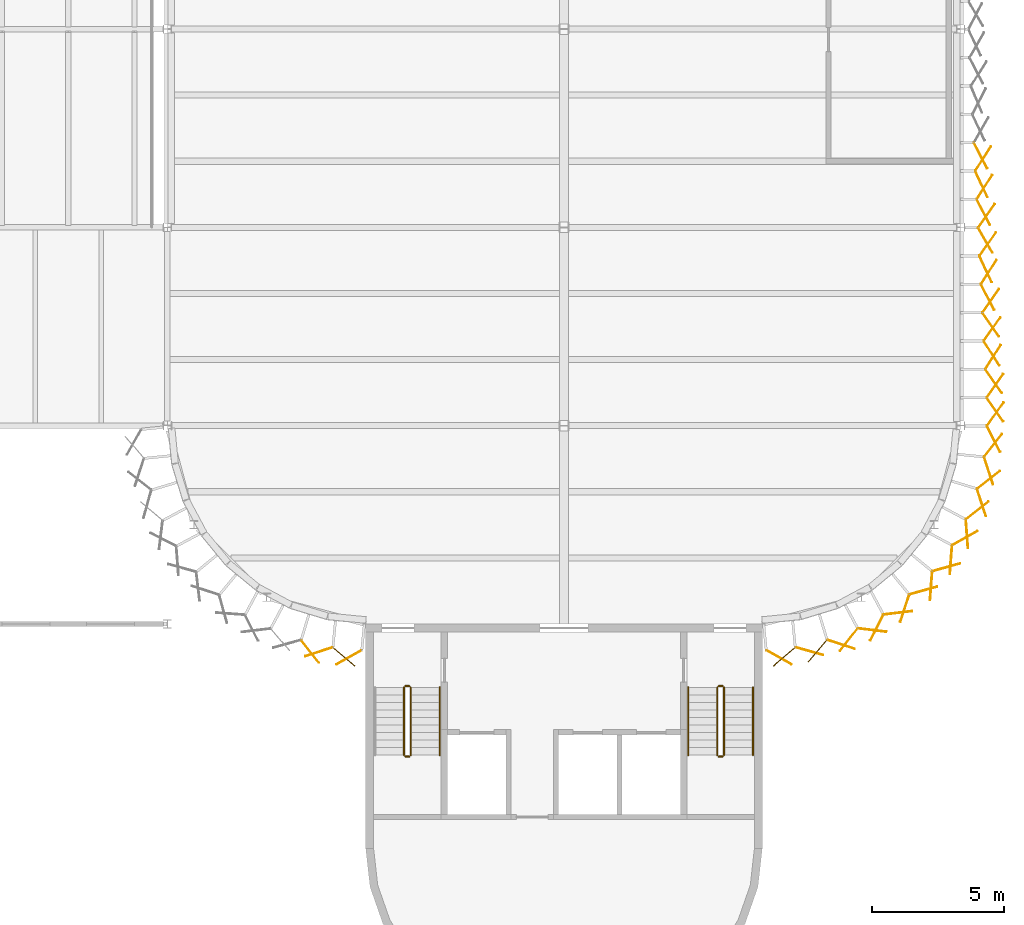
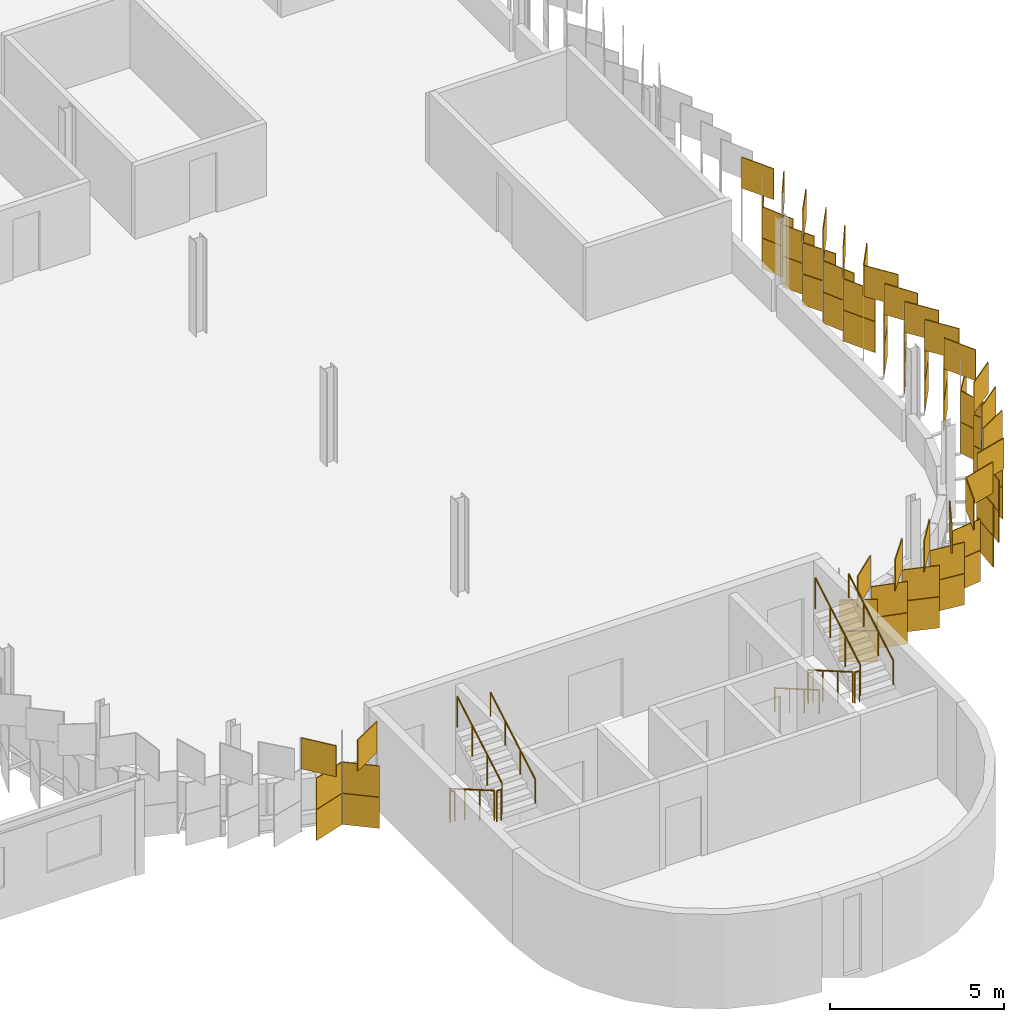
# One storey, part 188 of 198: 69 coverings, 11 railings.
"""IFC4 building model written with IfcOpenShell, lengths in metres."""

from ifc_helpers import new_model, si_unit, direction, frame, origin, origin_2d, place, context, subcontext, project, spatial, rectangle, circle, extrude, material, layer, layer_set, type_object, element, save


model = new_model("IFC4")

# Units and contexts
model_context = context("Model", 3, precision=1e-05, world=origin(), true_north=direction((0.0, 1.0)))
body_context = subcontext(model_context, "Body", "Model", "MODEL_VIEW")
ifc_project = project(units=[si_unit("LENGTHUNIT", "METRE"), si_unit("AREAUNIT", "SQUARE_METRE"), si_unit("VOLUMEUNIT", "CUBIC_METRE"), si_unit("PLANEANGLEUNIT", "RADIAN"), si_unit("MASSUNIT", "GRAM", prefix="KILO")], contexts=[model_context])

# Site, building, storey
site_placement = place(None, origin())
site = spatial("IfcSite", under=ifc_project, at=site_placement, CompositionType="ELEMENT")
building_placement = place(site_placement, origin())
building = spatial("IfcBuilding", under=site, at=building_placement, Name="Parallax Yard Mobility Hub", CompositionType="ELEMENT")
storey_placement = place(building_placement, frame((0.0, 0.0, 6.60009765625)))
storey = spatial("IfcBuildingStorey", under=building, at=storey_placement, Name="L02", CompositionType="ELEMENT", Elevation=6.60009765625)

# Coverings
ifc_material_1 = material(Name="Aluminium panel, champagne finish", Category="aluminium")
ifc_layer_1 = layer(ifc_material_1, 0.030029296875)
ifc_layer_set_1 = layer_set([ifc_layer_1], Name="Skin panel 25 degree turn, champagne finish")
covering_type_1 = type_object("IfcCoveringType", Name="Skin panel 25 degree turn, champagne finish", PredefinedType="CLADDING", material=ifc_layer_set_1)
for number, where, z_axis, x_axis, name in (
    (1, (225.951171875, 35.91162109375, 1.119873046875), (0.0, 0.0, 1.0), (0.422618261741, -0.906307787037, 0.0), "Skin panel 25 bay 33.6 row 2 level L02"),
    (2, (225.79052734375, 39.126953125, 1.119873046875), (0.0, 0.0, 1.0), (0.422618261741, -0.906307787037, 0.0), "Skin panel 25 bay 34.2 row 2 level L02"),
):
    element("IfcCovering", number, at=place(storey_placement, frame(where, z_axis=z_axis, x_axis=x_axis)), inside=storey, type_object=covering_type_1, Name=name, ObjectType="SCREEN", PredefinedType="CLADDING", context=body_context, shape_type="SweptSolid", body=[
        extrude(rectangle(XDim=1.080078125, YDim=0.030029296875, at=origin_2d()), origin(), (0.0, 0.0, 1.0), 1.080078125),
    ])
ifc_material_2 = material(Name="Aluminium panel, light oak finish", Category="aluminium")
ifc_layer_2 = layer(ifc_material_2, 0.030029296875)
ifc_layer_set_2 = layer_set([ifc_layer_2], Name="Skin panel 25 degree turn, oak finish")
covering_type_2 = type_object("IfcCoveringType", Name="Skin panel 25 degree turn, oak finish", PredefinedType="CLADDING", material=ifc_layer_set_2)
for number, where, z_axis, x_axis, name in (
    (3, (225.951171875, 35.91162109375, 0.019775390625), (0.0, 0.0, 1.0), (0.422618261741, -0.906307787037, 0.0), "Skin panel 25 bay 33.6 row 1 level L02"),
    (4, (225.79052734375, 39.126953125, 0.019775390625), (0.0, 0.0, 1.0), (0.422618261741, -0.906307787037, 0.0), "Skin panel 25 bay 34.2 row 1 level L02"),
):
    element("IfcCovering", number, at=place(storey_placement, frame(where, z_axis=z_axis, x_axis=x_axis)), inside=storey, type_object=covering_type_2, Name=name, ObjectType="SCREEN", PredefinedType="CLADDING", context=body_context, shape_type="SweptSolid", body=[
        extrude(rectangle(XDim=1.080078125, YDim=0.030029296875, at=origin_2d()), origin(), (0.0, 0.0, 1.0), 1.080078125),
    ])
ifc_layer_3 = layer(ifc_material_1, 0.030029296875)
ifc_layer_set_3 = layer_set([ifc_layer_3], Name="Skin panel 27.5 degree turn, champagne finish")
covering_type_3 = type_object("IfcCoveringType", Name="Skin panel 27.5 degree turn, champagne finish", PredefinedType="CLADDING", material=ifc_layer_set_3)
for number, where, z_axis, x_axis, name in (
    (5, (226.026611328125, 34.8505859375, 1.119873046875), (0.0, 0.0, 1.0), (0.461748613235, -0.887010833178, 0.0), "Skin panel 27.5 bay 33.5 row 2 level L02"),
    (6, (225.86572265625, 38.06591796875, 1.119873046875), (0.0, 0.0, 1.0), (0.461748613235, -0.887010833178, 0.0), "Skin panel 27.5 bay 34.1 row 2 level L02"),
    (7, (225.7587890625, 40.20947265625, 2.219970703125), (0.0, 0.0, 1.0), (0.461748613235, -0.887010833178, 0.0), "Skin panel 27.5 bay 34.3 row 3 level L02"),
):
    element("IfcCovering", number, at=place(storey_placement, frame(where, z_axis=z_axis, x_axis=x_axis)), inside=storey, type_object=covering_type_3, Name=name, ObjectType="SCREEN", PredefinedType="CLADDING", context=body_context, shape_type="SweptSolid", body=[
        extrude(rectangle(XDim=1.080078125, YDim=0.030029296875, at=origin_2d()), origin(), (0.0, 0.0, 1.0), 1.080078125),
    ])
ifc_layer_4 = layer(ifc_material_2, 0.030029296875)
ifc_layer_set_4 = layer_set([ifc_layer_4], Name="Skin panel 27.5 degree turn, oak finish")
covering_type_4 = type_object("IfcCoveringType", Name="Skin panel 27.5 degree turn, oak finish", PredefinedType="CLADDING", material=ifc_layer_set_4)
for number, where, z_axis, x_axis, name in (
    (8, (226.026611328125, 34.8505859375, 0.019775390625), (0.0, 0.0, 1.0), (0.461748613235, -0.887010833178, 0.0), "Skin panel 27.5 bay 33.5 row 1 level L02"),
    (9, (225.86572265625, 38.06591796875, 0.019775390625), (0.0, 0.0, 1.0), (0.461748613235, -0.887010833178, 0.0), "Skin panel 27.5 bay 34.1 row 1 level L02"),
):
    element("IfcCovering", number, at=place(storey_placement, frame(where, z_axis=z_axis, x_axis=x_axis)), inside=storey, type_object=covering_type_4, Name=name, ObjectType="SCREEN", PredefinedType="CLADDING", context=body_context, shape_type="SweptSolid", body=[
        extrude(rectangle(XDim=1.080078125, YDim=0.030029296875, at=origin_2d()), origin(), (0.0, 0.0, 1.0), 1.080078125),
    ])
ifc_layer_5 = layer(ifc_material_1, 0.030029296875)
ifc_layer_set_5 = layer_set([ifc_layer_5], Name="Skin panel 30 degree turn, champagne finish")
covering_type_5 = type_object("IfcCoveringType", Name="Skin panel 30 degree turn, champagne finish", PredefinedType="CLADDING", material=ifc_layer_set_5)
covering_1_placement = place(storey_placement, frame((225.940673828125, 37.005859375, 1.119873046875), z_axis=(0.0, 0.0, 1.0), x_axis=(0.5, -0.866025403784, 0.0)))
element("IfcCovering", 10, at=covering_1_placement, inside=storey, type_object=covering_type_5, Name="Skin panel 30 bay 33.7 row 2 level L02", ObjectType="SCREEN", PredefinedType="CLADDING", context=body_context, shape_type="SweptSolid", body=[
    extrude(rectangle(XDim=1.080078125, YDim=0.030029296875, at=origin_2d()), origin(), (0.0, 0.0, 1.0), 1.080078125),
])
ifc_layer_6 = layer(ifc_material_2, 0.030029296875)
ifc_layer_set_6 = layer_set([ifc_layer_6], Name="Skin panel 30 degree turn, oak finish")
covering_type_6 = type_object("IfcCoveringType", Name="Skin panel 30 degree turn, oak finish", PredefinedType="CLADDING", material=ifc_layer_set_6)
covering_2_placement = place(storey_placement, frame((225.940673828125, 37.005859375, 0.019775390625), z_axis=(0.0, 0.0, 1.0), x_axis=(0.5, -0.866025403784, 0.0)))
element("IfcCovering", 11, at=covering_2_placement, inside=storey, type_object=covering_type_6, Name="Skin panel 30 bay 33.7 row 1 level L02", ObjectType="SCREEN", PredefinedType="CLADDING", context=body_context, shape_type="SweptSolid", body=[
    extrude(rectangle(XDim=1.080078125, YDim=0.030029296875, at=origin_2d()), origin(), (0.0, 0.0, 1.0), 1.080078125),
])
ifc_layer_7 = layer(ifc_material_1, 0.030029296875)
ifc_layer_set_7 = layer_set([ifc_layer_7], Name="Skin panel 32.5 degree turn, champagne finish")
covering_type_7 = type_object("IfcCoveringType", Name="Skin panel 32.5 degree turn, champagne finish", PredefinedType="CLADDING", material=ifc_layer_set_7)
for number, where, z_axis, x_axis, name in (
    (12, (219.28271484375, 21.468017578125, 1.119873046875), (0.0, 0.0, 1.0), (0.963045136708, -0.269340053953, 0.0), "Skin panel 32.5 bay 32.2 row 2 level L02"),
    (13, (219.58837890625, 21.476318359375, 2.219970703125), (0.0, 0.0, 1.0), (-0.651105449912, -0.758987281247, 0.0), "Skin panel 32.5 bay 32.2 row 3 level L02"),
    (14, (222.634521484375, 22.918701171875, 1.119873046875), (0.0, 0.0, 1.0), (0.992809667009, 0.119703655305, 0.0), "Skin panel 32.5 bay 32.5 row 2 level L02"),
    (15, (222.88623046875, 23.08447265625, 2.219970703125), (0.0, 0.0, 1.0), (-0.311091140771, -0.950380082985, 0.0), "Skin panel 32.5 bay 32.5 row 3 level L02"),
    (16, (225.24169921875, 25.89453125, 1.119873046875), (0.0, 0.0, 1.0), (0.076283974504, -0.997086132304, 0.0), "Skin panel 32.5 bay 32.8 row 2 level L02"),
    (17, (225.163818359375, 25.748779296875, 2.219970703125), (0.0, 0.0, 1.0), (0.87142792535, 0.490523568159, 0.0), "Skin panel 32.5 bay 32.8 row 3 level L02"),
    (18, (226.23193359375, 29.25634765625, 1.119873046875), (0.0, 0.0, 1.0), (0.617379181571, 0.786665714369, 0.0), "Skin panel 32.5 bay 32.11 row 2 level L02"),
    (19, (226.25146484375, 29.4892578125, 2.219970703125), (0.0, 0.0, 1.0), (0.452045546177, -0.891994856589, 0.0), "Skin panel 32.5 bay 32.11 row 3 level L02"),
    (20, (226.229248046875, 32.59814453125, 1.119873046875), (0.0, 0.0, 1.0), (0.537299608347, 0.843391445813, 0.0), "Skin panel 32.5 bay 33.3 row 2 level L02"),
    (21, (226.17578125, 32.7314453125, 2.219970703125), (0.0, 0.0, 1.0), (0.537299608347, -0.843391445813, 0.0), "Skin panel 32.5 bay 33.3 row 3 level L02"),
    (22, (226.068603515625, 35.8134765625, 2.219970703125), (0.0, 0.0, 1.0), (0.537299608347, 0.843391445813, 0.0), "Skin panel 32.5 bay 33.6 row 3 level L02"),
    (23, (225.90771484375, 39.028564453125, 2.219970703125), (0.0, 0.0, 1.0), (0.537299608347, 0.843391445813, 0.0), "Skin panel 32.5 bay 34.2 row 3 level L02"),
    (24, (225.854248046875, 40.100341796875, 1.119873046875), (0.0, 0.0, 1.0), (0.537299608347, 0.843391445813, 0.0), "Skin panel 32.5 bay 34.3 row 2 level L02"),
):
    element("IfcCovering", number, at=place(storey_placement, frame(where, z_axis=z_axis, x_axis=x_axis)), inside=storey, type_object=covering_type_7, Name=name, ObjectType="SCREEN", PredefinedType="CLADDING", context=body_context, shape_type="SweptSolid", body=[
        extrude(rectangle(XDim=1.080078125, YDim=0.030029296875, at=origin_2d()), origin(), (0.0, 0.0, 1.0), 1.080078125),
    ])
ifc_layer_8 = layer(ifc_material_2, 0.030029296875)
ifc_layer_set_8 = layer_set([ifc_layer_8], Name="Skin panel 32.5 degree turn, oak finish")
covering_type_8 = type_object("IfcCoveringType", Name="Skin panel 32.5 degree turn, oak finish", PredefinedType="CLADDING", material=ifc_layer_set_8)
for number, where, z_axis, x_axis, name in (
    (25, (219.28271484375, 21.468017578125, 0.019775390625), (0.0, 0.0, 1.0), (0.963045136708, -0.269340053953, 0.0), "Skin panel 32.5 bay 32.2 row 1 level L02"),
    (26, (222.634521484375, 22.918701171875, 0.019775390625), (0.0, 0.0, 1.0), (0.992809667009, 0.119703655305, 0.0), "Skin panel 32.5 bay 32.5 row 1 level L02"),
    (27, (225.24169921875, 25.89453125, 0.019775390625), (0.0, 0.0, 1.0), (0.076283974504, -0.997086132304, 0.0), "Skin panel 32.5 bay 32.8 row 1 level L02"),
    (28, (226.23193359375, 29.25634765625, 0.019775390625), (0.0, 0.0, 1.0), (0.617379181571, 0.786665714369, 0.0), "Skin panel 32.5 bay 32.11 row 1 level L02"),
    (29, (226.229248046875, 32.59814453125, 0.019775390625), (0.0, 0.0, 1.0), (0.537299608347, 0.843391445813, 0.0), "Skin panel 32.5 bay 33.3 row 1 level L02"),
    (30, (225.854248046875, 40.100341796875, 0.019775390625), (0.0, 0.0, 1.0), (0.537299608347, 0.843391445813, 0.0), "Skin panel 32.5 bay 34.3 row 1 level L02"),
):
    element("IfcCovering", number, at=place(storey_placement, frame(where, z_axis=z_axis, x_axis=x_axis)), inside=storey, type_object=covering_type_8, Name=name, ObjectType="SCREEN", PredefinedType="CLADDING", context=body_context, shape_type="SweptSolid", body=[
        extrude(rectangle(XDim=1.080078125, YDim=0.030029296875, at=origin_2d()), origin(), (0.0, 0.0, 1.0), 1.080078125),
    ])
ifc_layer_9 = layer(ifc_material_1, 0.030029296875)
ifc_layer_set_9 = layer_set([ifc_layer_9], Name="Skin panel 35 degree turn, champagne finish")
covering_type_9 = type_object("IfcCoveringType", Name="Skin panel 35 degree turn, champagne finish", PredefinedType="CLADDING", material=ifc_layer_set_9)
for number, where, z_axis, x_axis, name in (
    (31, (200.73046875, 21.4443359375, 1.119873046875), (0.0, 0.0, 1.0), (-0.950380082985, -0.311091140771, 0.0), "Skin panel 35 bay 30.10 row 2 level L02"),
    (32, (200.40380859375, 21.457763671875, 2.219970703125), (0.0, 0.0, 1.0), (0.617379181571, -0.786665714369, 0.0), "Skin panel 35 bay 30.10 row 3 level L02"),
    (33, (201.681396484375, 21.255126953125, 1.119873046875), (0.0, 0.0, 1.0), (0.758987281247, -0.651105449912, 0.0), "Skin panel 35 bay 30.11 row 2 level L02"),
    (34, (201.8671875, 21.23681640625, 2.219970703125), (0.0, 0.0, 1.0), (-0.87142792535, -0.490523568159, 0.0), "Skin panel 35 bay 30.11 row 3 level L02"),
    (35, (218.13330078125, 21.23681640625, 1.119873046875), (0.0, 0.0, 1.0), (0.87142792535, -0.490523568159, 0.0), "Skin panel 35 bay 32.1 row 2 level L02"),
    (36, (218.32470703125, 21.255615234375, 2.219970703125), (0.0, 0.0, 1.0), (-0.758987281247, -0.651105449912, 0.0), "Skin panel 35 bay 32.1 row 3 level L02"),
    (37, (220.4794921875, 21.7255859375, 1.119873046875), (0.0, 0.0, 1.0), (0.950380082985, -0.311091140771, 0.0), "Skin panel 35 bay 32.3 row 2 level L02"),
    (38, (220.76513671875, 21.89404296875, 2.219970703125), (0.0, 0.0, 1.0), (-0.617379181571, -0.786665714369, 0.0), "Skin panel 35 bay 32.3 row 3 level L02"),
    (39, (221.6611328125, 22.26513671875, 1.119873046875), (0.0, 0.0, 1.0), (0.992809667009, -0.119703655305, 0.0), "Skin panel 35 bay 32.4 row 2 level L02"),
    (40, (221.83056640625, 22.355712890625, 2.219970703125), (0.0, 0.0, 1.0), (-0.452045546177, -0.891994856589, 0.0), "Skin panel 35 bay 32.4 row 3 level L02"),
    (41, (223.885986328125, 23.936767578125, 1.119873046875), (0.0, 0.0, 1.0), (-0.076283974504, -0.997086132304, 0.0), "Skin panel 35 bay 32.6 row 2 level L02"),
    (42, (223.59521484375, 23.76318359375, 2.219970703125), (0.0, 0.0, 1.0), (0.963045136708, 0.269340053953, 0.0), "Skin panel 35 bay 32.6 row 3 level L02"),
    (43, (224.636474609375, 24.92138671875, 1.119873046875), (0.0, 0.0, 1.0), (-0.076283974504, -0.997086132304, 0.0), "Skin panel 35 bay 32.7 row 2 level L02"),
    (44, (224.46435546875, 24.641357421875, 2.219970703125), (0.0, 0.0, 1.0), (0.963045136708, 0.269340053953, 0.0), "Skin panel 35 bay 32.7 row 3 level L02"),
    (45, (225.79345703125, 27.08349609375, 1.119873046875), (0.0, 0.0, 1.0), (0.311091140771, -0.950380082985, 0.0), "Skin panel 35 bay 32.9 row 2 level L02"),
    (46, (225.636962890625, 26.792724609375, 2.219970703125), (0.0, 0.0, 1.0), (0.786665714369, 0.617379181571, 0.0), "Skin panel 35 bay 32.9 row 3 level L02"),
    (47, (226.0615234375, 28.289794921875, 1.119873046875), (0.0, 0.0, 1.0), (0.311091140771, -0.950380082985, 0.0), "Skin panel 35 bay 32.10 row 2 level L02"),
    (48, (226.05810546875, 27.955810546875, 2.219970703125), (0.0, 0.0, 1.0), (0.786665714369, 0.617379181571, 0.0), "Skin panel 35 bay 32.10 row 3 level L02"),
    (49, (226.319091796875, 30.44140625, 1.119873046875), (0.0, 0.0, 1.0), (0.573576436351, 0.819152044289, 0.0), "Skin panel 35 bay 33.1 row 2 level L02"),
    (50, (226.302978515625, 30.6015625, 2.219970703125), (0.0, 0.0, 1.0), (0.573576436351, -0.819152044289, 0.0), "Skin panel 35 bay 33.1 row 3 level L02"),
    (51, (226.302978515625, 31.512939453125, 1.119873046875), (0.0, 0.0, 1.0), (0.573576436351, 0.819152044289, 0.0), "Skin panel 35 bay 33.2 row 2 level L02"),
    (52, (226.24951171875, 31.67333984375, 2.219970703125), (0.0, 0.0, 1.0), (0.573576436351, -0.819152044289, 0.0), "Skin panel 35 bay 33.2 row 3 level L02"),
    (53, (226.19580078125, 33.656494140625, 1.119873046875), (0.0, 0.0, 1.0), (0.573576436351, 0.819152044289, 0.0), "Skin panel 35 bay 33.4 row 2 level L02"),
    (54, (226.142333984375, 33.816650390625, 2.219970703125), (0.0, 0.0, 1.0), (0.573576436351, -0.819152044289, 0.0), "Skin panel 35 bay 33.4 row 3 level L02"),
    (55, (226.142333984375, 34.728271484375, 2.219970703125), (0.0, 0.0, 1.0), (0.573576436351, 0.819152044289, 0.0), "Skin panel 35 bay 33.5 row 3 level L02"),
    (56, (226.03515625, 36.87158203125, 2.219970703125), (0.0, 0.0, 1.0), (0.573576436351, 0.819152044289, 0.0), "Skin panel 35 bay 33.7 row 3 level L02"),
    (57, (225.981689453125, 37.943359375, 2.219970703125), (0.0, 0.0, 1.0), (0.573576436351, 0.819152044289, 0.0), "Skin panel 35 bay 34.1 row 3 level L02"),
):
    element("IfcCovering", number, at=place(storey_placement, frame(where, z_axis=z_axis, x_axis=x_axis)), inside=storey, type_object=covering_type_9, Name=name, ObjectType="SCREEN", PredefinedType="CLADDING", context=body_context, shape_type="SweptSolid", body=[
        extrude(rectangle(XDim=1.080078125, YDim=0.030029296875, at=origin_2d()), origin(), (0.0, 0.0, 1.0), 1.080078125),
    ])
ifc_layer_10 = layer(ifc_material_2, 0.030029296875)
ifc_layer_set_10 = layer_set([ifc_layer_10], Name="Skin panel 35 degree turn, oak finish")
covering_type_10 = type_object("IfcCoveringType", Name="Skin panel 35 degree turn, oak finish", PredefinedType="CLADDING", material=ifc_layer_set_10)
for number, where, z_axis, x_axis, name in (
    (58, (200.73046875, 21.4443359375, 0.019775390625), (0.0, 0.0, 1.0), (-0.950380082985, -0.311091140771, 0.0), "Skin panel 35 bay 30.10 row 1 level L02"),
    (59, (201.681396484375, 21.255126953125, 0.019775390625), (0.0, 0.0, 1.0), (0.758987281247, -0.651105449912, 0.0), "Skin panel 35 bay 30.11 row 1 level L02"),
    (60, (218.13330078125, 21.23681640625, 0.019775390625), (0.0, 0.0, 1.0), (0.87142792535, -0.490523568159, 0.0), "Skin panel 35 bay 32.1 row 1 level L02"),
    (61, (220.4794921875, 21.7255859375, 0.019775390625), (0.0, 0.0, 1.0), (0.950380082985, -0.311091140771, 0.0), "Skin panel 35 bay 32.3 row 1 level L02"),
    (62, (221.6611328125, 22.26513671875, 0.019775390625), (0.0, 0.0, 1.0), (0.992809667009, -0.119703655305, 0.0), "Skin panel 35 bay 32.4 row 1 level L02"),
    (63, (223.885986328125, 23.936767578125, 0.019775390625), (0.0, 0.0, 1.0), (-0.076283974504, -0.997086132304, 0.0), "Skin panel 35 bay 32.6 row 1 level L02"),
    (64, (224.636474609375, 24.92138671875, 0.019775390625), (0.0, 0.0, 1.0), (-0.076283974504, -0.997086132304, 0.0), "Skin panel 35 bay 32.7 row 1 level L02"),
    (65, (225.79345703125, 27.08349609375, 0.019775390625), (0.0, 0.0, 1.0), (0.311091140771, -0.950380082985, 0.0), "Skin panel 35 bay 32.9 row 1 level L02"),
    (66, (226.0615234375, 28.289794921875, 0.019775390625), (0.0, 0.0, 1.0), (0.311091140771, -0.950380082985, 0.0), "Skin panel 35 bay 32.10 row 1 level L02"),
    (67, (226.319091796875, 30.44140625, 0.019775390625), (0.0, 0.0, 1.0), (0.573576436351, 0.819152044289, 0.0), "Skin panel 35 bay 33.1 row 1 level L02"),
    (68, (226.302978515625, 31.512939453125, 0.019775390625), (0.0, 0.0, 1.0), (0.573576436351, 0.819152044289, 0.0), "Skin panel 35 bay 33.2 row 1 level L02"),
    (69, (226.19580078125, 33.656494140625, 0.019775390625), (0.0, 0.0, 1.0), (0.573576436351, 0.819152044289, 0.0), "Skin panel 35 bay 33.4 row 1 level L02"),
):
    element("IfcCovering", number, at=place(storey_placement, frame(where, z_axis=z_axis, x_axis=x_axis)), inside=storey, type_object=covering_type_10, Name=name, ObjectType="SCREEN", PredefinedType="CLADDING", context=body_context, shape_type="SweptSolid", body=[
        extrude(rectangle(XDim=1.080078125, YDim=0.030029296875, at=origin_2d()), origin(), (0.0, 0.0, 1.0), 1.080078125),
    ])

# Railings
ifc_material_3 = material(Name="Steel ASTM A36", Category="steel")
railing_type_1 = type_object("IfcRailingType", Name="Stair guard 1100", PredefinedType="GUARDRAIL", material=ifc_material_3)
railing_1_placement = place(storey_placement, frame((215.800048828125, 20.10009765625, 0.164794921875)))
element("IfcRailing", 70, at=railing_1_placement, inside=storey, type_object=railing_type_1, Name="L02 ST9 stair guard 1", PredefinedType="GUARDRAIL", context=body_context, shape_type="SweptSolid", body=[
    extrude(circle(Radius=0.02392578125, at=origin_2d()), frame((0.0, 0.0, 1.076171875), z_axis=(0.0, -0.865426285481, 0.501036270542), x_axis=(1.0, 0.0, 0.0)), (0.0, 0.0, 1.0), 2.964111328125),
    extrude(circle(Radius=0.02099609375, at=origin_2d()), origin(), (0.0, 0.0, 1.0), 1.052001953125),
    extrude(circle(Radius=0.02099609375, at=origin_2d()), frame((0.0, -0.85498046875, 0.4951171875)), (0.0, 0.0, 1.0), 1.052001953125),
    extrude(circle(Radius=0.02099609375, at=origin_2d()), frame((0.0, -1.710205078125, 0.989990234375)), (0.0, 0.0, 1.0), 1.052001953125),
    extrude(circle(Radius=0.02099609375, at=origin_2d()), frame((0.0, -2.565185546875, 1.485107421875)), (0.0, 0.0, 1.0), 1.052001953125),
])
railing_2_placement = place(storey_placement, frame((215.85009765625, 17.485107421875, 1.64990234375)))
element("IfcRailing", 71, at=railing_2_placement, inside=storey, type_object=railing_type_1, Name="L02 ST9 stair guard 2", PredefinedType="GUARDRAIL", context=body_context, shape_type="SweptSolid", body=[
    extrude(circle(Radius=0.02392578125, at=origin_2d()), frame((0.0, 0.0, 1.076171875), z_axis=(1.0, 0.0, 0.0), x_axis=(0.0, 1.0, 0.0)), (0.0, 0.0, 1.0), 0.14990234375),
    extrude(circle(Radius=0.02099609375, at=origin_2d()), origin(), (0.0, 0.0, 1.0), 1.052001953125),
    extrude(circle(Radius=0.02099609375, at=origin_2d()), frame((0.14990234375, 0.0, 0.0)), (0.0, 0.0, 1.0), 1.052001953125),
])
railing_3_placement = place(storey_placement, frame((216.050048828125, 17.534912109375, 1.81494140625)))
element("IfcRailing", 72, at=railing_3_placement, inside=storey, type_object=railing_type_1, Name="L02 ST9 stair guard 3", PredefinedType="GUARDRAIL", context=body_context, shape_type="SweptSolid", body=[
    extrude(circle(Radius=0.02392578125, at=origin_2d()), frame((0.0, 0.0, 1.076171875), z_axis=(0.0, 0.865461999751, 0.500974577186), x_axis=(-1.0, 0.0, 0.0)), (0.0, 0.0, 1.0), 2.9638671875),
    extrude(circle(Radius=0.02099609375, at=origin_2d()), origin(), (0.0, 0.0, 1.0), 1.052001953125),
    extrude(circle(Radius=0.02099609375, at=origin_2d()), frame((0.0, 0.85498046875, 0.494873046875)), (0.0, 0.0, 1.0), 1.052001953125),
    extrude(circle(Radius=0.02099609375, at=origin_2d()), frame((0.0, 1.710205078125, 0.989990234375)), (0.0, 0.0, 1.0), 1.052001953125),
    extrude(circle(Radius=0.02099609375, at=origin_2d()), frame((0.0, 2.565185546875, 1.48486328125)), (0.0, 0.0, 1.0), 1.052001953125),
])
railing_4_placement = place(storey_placement, frame((215.85009765625, 20.14990234375, 0.0)))
element("IfcRailing", 73, at=railing_4_placement, inside=storey, type_object=railing_type_1, Name="L02 ST9 stair guard 4", PredefinedType="GUARDRAIL", context=body_context, shape_type="SweptSolid", body=[
    extrude(circle(Radius=0.02392578125, at=origin_2d()), frame((0.0, 0.0, 1.076171875), z_axis=(1.0, 0.0, 0.0), x_axis=(0.0, 1.0, 0.0)), (0.0, 0.0, 1.0), 0.14990234375),
    extrude(circle(Radius=0.02099609375, at=origin_2d()), origin(), (0.0, 0.0, 1.0), 1.052001953125),
    extrude(circle(Radius=0.02099609375, at=origin_2d()), frame((0.14990234375, 0.0, 0.0)), (0.0, 0.0, 1.0), 1.052001953125),
])
railing_5_placement = place(storey_placement, frame((203.949951171875, 20.10009765625, 0.164794921875)))
element("IfcRailing", 74, at=railing_5_placement, inside=storey, type_object=railing_type_1, Name="L02 ST10 stair guard 1", PredefinedType="GUARDRAIL", context=body_context, shape_type="SweptSolid", body=[
    extrude(circle(Radius=0.02392578125, at=origin_2d()), frame((0.0, 0.0, 1.076171875), z_axis=(0.0, -0.865426285481, 0.501036270542), x_axis=(1.0, 0.0, 0.0)), (0.0, 0.0, 1.0), 2.964111328125),
    extrude(circle(Radius=0.02099609375, at=origin_2d()), origin(), (0.0, 0.0, 1.0), 1.052001953125),
    extrude(circle(Radius=0.02099609375, at=origin_2d()), frame((0.0, -0.85498046875, 0.4951171875)), (0.0, 0.0, 1.0), 1.052001953125),
    extrude(circle(Radius=0.02099609375, at=origin_2d()), frame((0.0, -1.710205078125, 0.989990234375)), (0.0, 0.0, 1.0), 1.052001953125),
    extrude(circle(Radius=0.02099609375, at=origin_2d()), frame((0.0, -2.565185546875, 1.485107421875)), (0.0, 0.0, 1.0), 1.052001953125),
])
railing_6_placement = place(storey_placement, frame((204.0, 17.485107421875, 1.64990234375)))
element("IfcRailing", 75, at=railing_6_placement, inside=storey, type_object=railing_type_1, Name="L02 ST10 stair guard 2", PredefinedType="GUARDRAIL", context=body_context, shape_type="SweptSolid", body=[
    extrude(circle(Radius=0.02392578125, at=origin_2d()), frame((0.0, 0.0, 1.076171875), z_axis=(1.0, 0.0, 0.0), x_axis=(0.0, 1.0, 0.0)), (0.0, 0.0, 1.0), 0.14990234375),
    extrude(circle(Radius=0.02099609375, at=origin_2d()), origin(), (0.0, 0.0, 1.0), 1.052001953125),
    extrude(circle(Radius=0.02099609375, at=origin_2d()), frame((0.14990234375, 0.0, 0.0)), (0.0, 0.0, 1.0), 1.052001953125),
])
railing_7_placement = place(storey_placement, frame((204.199951171875, 17.534912109375, 1.81494140625)))
element("IfcRailing", 76, at=railing_7_placement, inside=storey, type_object=railing_type_1, Name="L02 ST10 stair guard 3", PredefinedType="GUARDRAIL", context=body_context, shape_type="SweptSolid", body=[
    extrude(circle(Radius=0.02392578125, at=origin_2d()), frame((0.0, 0.0, 1.076171875), z_axis=(0.0, 0.865461999751, 0.500974577186), x_axis=(-1.0, 0.0, 0.0)), (0.0, 0.0, 1.0), 2.9638671875),
    extrude(circle(Radius=0.02099609375, at=origin_2d()), origin(), (0.0, 0.0, 1.0), 1.052001953125),
    extrude(circle(Radius=0.02099609375, at=origin_2d()), frame((0.0, 0.85498046875, 0.494873046875)), (0.0, 0.0, 1.0), 1.052001953125),
    extrude(circle(Radius=0.02099609375, at=origin_2d()), frame((0.0, 1.710205078125, 0.989990234375)), (0.0, 0.0, 1.0), 1.052001953125),
    extrude(circle(Radius=0.02099609375, at=origin_2d()), frame((0.0, 2.565185546875, 1.48486328125)), (0.0, 0.0, 1.0), 1.052001953125),
])
railing_8_placement = place(storey_placement, frame((204.0, 20.14990234375, 0.0)))
element("IfcRailing", 77, at=railing_8_placement, inside=storey, type_object=railing_type_1, Name="L02 ST10 stair guard 4", PredefinedType="GUARDRAIL", context=body_context, shape_type="SweptSolid", body=[
    extrude(circle(Radius=0.02392578125, at=origin_2d()), frame((0.0, 0.0, 1.076171875), z_axis=(1.0, 0.0, 0.0), x_axis=(0.0, 1.0, 0.0)), (0.0, 0.0, 1.0), 0.14990234375),
    extrude(circle(Radius=0.02099609375, at=origin_2d()), origin(), (0.0, 0.0, 1.0), 1.052001953125),
    extrude(circle(Radius=0.02099609375, at=origin_2d()), frame((0.14990234375, 0.0, 0.0)), (0.0, 0.0, 1.0), 1.052001953125),
])
railing_type_2 = type_object("IfcRailingType", Name="Stair handrail", PredefinedType="HANDRAIL", material=ifc_material_3)
railing_9_placement = place(storey_placement, frame((214.699951171875, 20.10009765625, 0.164794921875)))
element("IfcRailing", 78, at=railing_9_placement, inside=storey, type_object=railing_type_2, Name="L02 ST9 stair handrail 1", PredefinedType="HANDRAIL", context=body_context, shape_type="SweptSolid", body=[
    extrude(circle(Radius=0.02392578125, at=origin_2d()), frame((0.0, 0.0, 0.8310546875), z_axis=(0.0, -0.865426285481, 0.501036270542), x_axis=(1.0, 0.0, 0.0)), (0.0, 0.0, 1.0), 2.964111328125),
    extrude(circle(Radius=0.02099609375, at=origin_2d()), origin(), (0.0, 0.0, 1.0), 0.806884765625),
    extrude(circle(Radius=0.02099609375, at=origin_2d()), frame((0.0, -0.85498046875, 0.4951171875)), (0.0, 0.0, 1.0), 0.806884765625),
    extrude(circle(Radius=0.02099609375, at=origin_2d()), frame((0.0, -1.710205078125, 0.989990234375)), (0.0, 0.0, 1.0), 0.806884765625),
    extrude(circle(Radius=0.02099609375, at=origin_2d()), frame((0.0, -2.565185546875, 1.485107421875)), (0.0, 0.0, 1.0), 0.806884765625),
])
for number, where, name in (
    (79, (217.14990234375, 17.534912109375, 1.81494140625), "L02 ST9 stair handrail 2"),
    (80, (205.300048828125, 17.534912109375, 1.81494140625), "L02 ST10 stair handrail 2"),
):
    element("IfcRailing", number, at=place(storey_placement, frame(where)), inside=storey, type_object=railing_type_2, Name=name, PredefinedType="HANDRAIL", context=body_context, shape_type="SweptSolid", body=[
        extrude(circle(Radius=0.02392578125, at=origin_2d()), frame((0.0, 0.0, 0.8310546875), z_axis=(0.0, 0.865461999751, 0.500974577186), x_axis=(-1.0, 0.0, 0.0)), (0.0, 0.0, 1.0), 2.9638671875),
        extrude(circle(Radius=0.02099609375, at=origin_2d()), origin(), (0.0, 0.0, 1.0), 0.806884765625),
        extrude(circle(Radius=0.02099609375, at=origin_2d()), frame((0.0, 0.85498046875, 0.494873046875)), (0.0, 0.0, 1.0), 0.806884765625),
        extrude(circle(Radius=0.02099609375, at=origin_2d()), frame((0.0, 1.710205078125, 0.989990234375)), (0.0, 0.0, 1.0), 0.806884765625),
        extrude(circle(Radius=0.02099609375, at=origin_2d()), frame((0.0, 2.565185546875, 1.48486328125)), (0.0, 0.0, 1.0), 0.806884765625),
    ])

save(model, "model.ifc")
